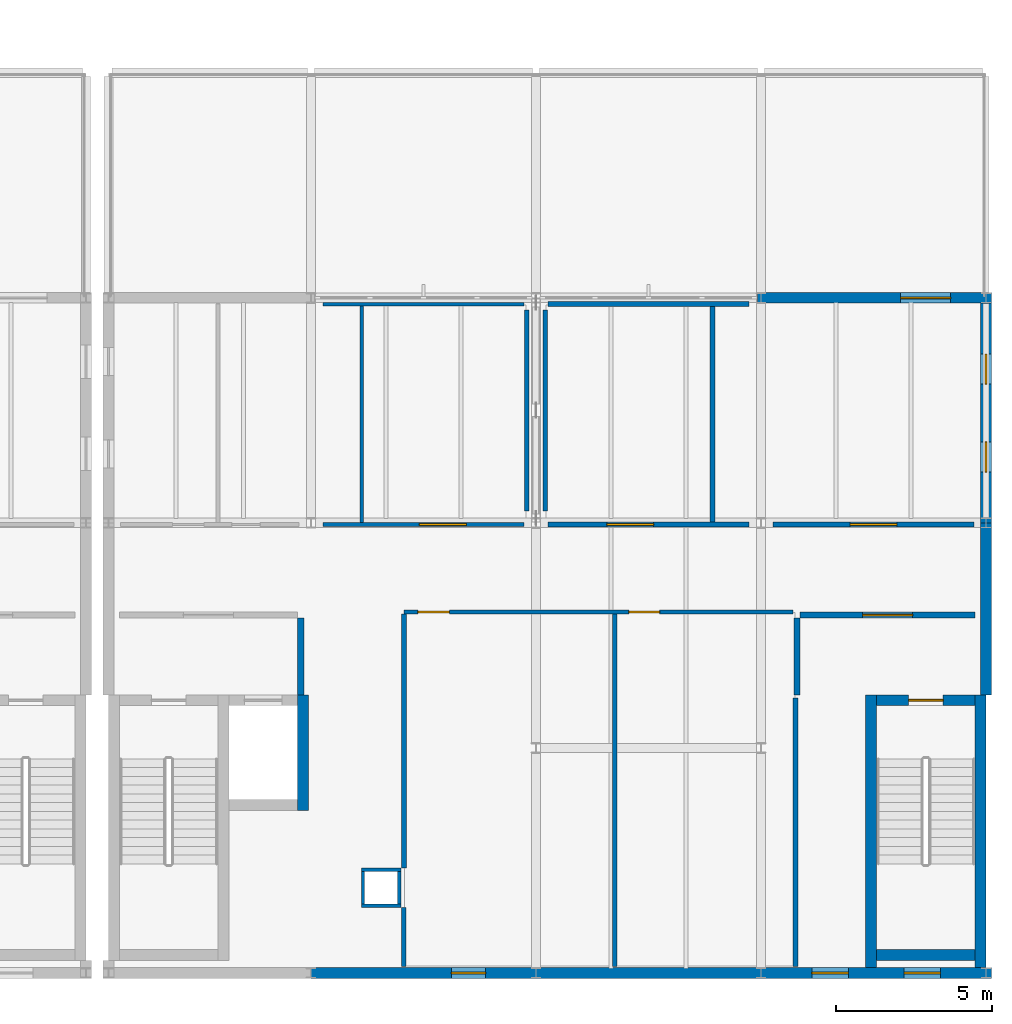
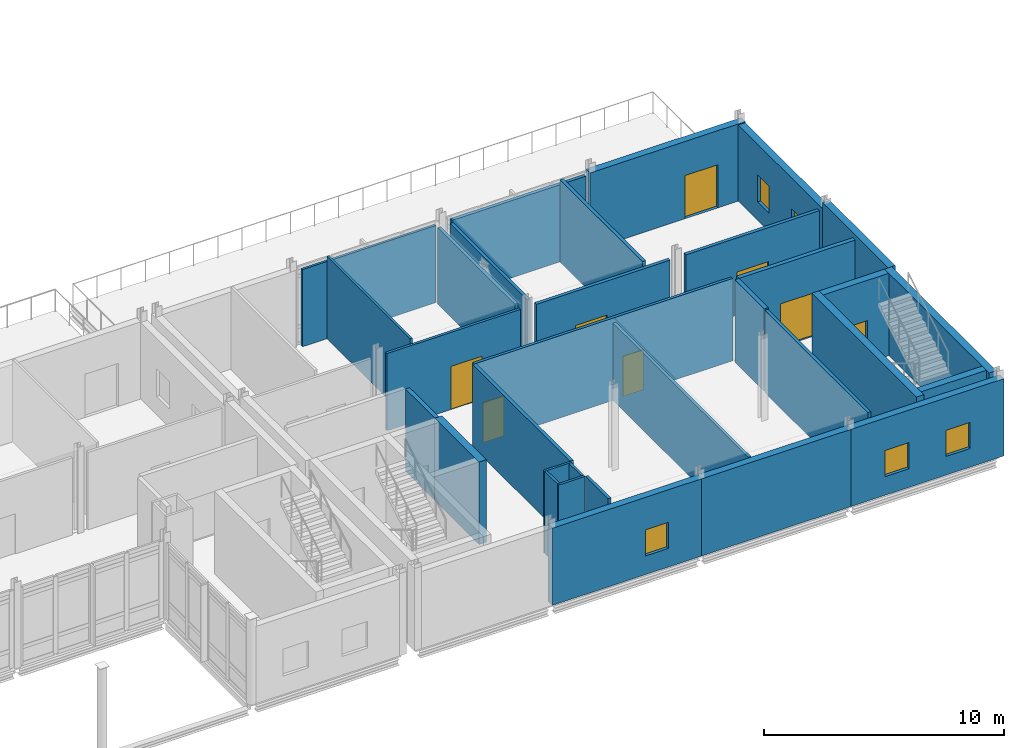
# One storey, part 40 of 53: 32 walls, 8 doors, 5 windows, 13 openings.
"""IFC4 building model written with IfcOpenShell, lengths in metres."""

from ifc_helpers import new_model, si_unit, direction, frame, frame_2d, origin, place, context, subcontext, project, spatial, rectangle, extrude, material, layer, layer_set, type_object, element, fill, save


model = new_model("IFC4")

# Units and contexts
model_context = context("Model", 3, precision=1e-05, world=origin(), true_north=direction((0.0, 1.0)))
body_context = subcontext(model_context, "Body", "Model", "MODEL_VIEW")
ifc_project = project(units=[si_unit("LENGTHUNIT", "METRE"), si_unit("AREAUNIT", "SQUARE_METRE"), si_unit("VOLUMEUNIT", "CUBIC_METRE"), si_unit("PLANEANGLEUNIT", "RADIAN"), si_unit("MASSUNIT", "GRAM", prefix="KILO")], contexts=[model_context])

# Site, building, storey
site_placement = place(None, origin())
site = spatial("IfcSite", under=ifc_project, at=site_placement, CompositionType="ELEMENT")
building_placement = place(site_placement, origin())
building = spatial("IfcBuilding", under=site, at=building_placement, Name="Zarrinpeak Specialist Clinic", CompositionType="ELEMENT")
storey_placement = place(building_placement, frame((0.0, 0.0, 14.0)))
storey = spatial("IfcBuildingStorey", under=building, at=storey_placement, Name="L03", CompositionType="ELEMENT", Elevation=14.0)

# Walls
ifc_material_1 = material(Name="Concrete C40/50", Category="concrete")
ifc_layer_1 = layer(ifc_material_1, 0.35009765625)
ifc_layer_set_1 = layer_set([ifc_layer_1], Name="Concrete C40/50")
wall_type_1 = type_object("IfcWallType", Name="WL-CR350", PredefinedType="SHEAR", material=ifc_layer_set_1)
wall_1_placement = place(storey_placement, frame((64.544921875, 5.199951171875, 0.0), z_axis=(0.0, 0.0, 1.0), x_axis=(0.0, 1.0, 0.0)))
element("IfcWall", 1, at=wall_1_placement, inside=storey, type_object=wall_type_1, Name="L03 Lift LF-P4 Shaft Wall LFE", PredefinedType="SHEAR", context=body_context, shape_type="SweptSolid", body=[
    extrude(rectangle(XDim=3.699951171875, YDim=0.35009765625, at=frame_2d((1.85009765625, 0.0))), origin(), (0.0, 0.0, 1.0), 4.199951171875),
])
wall_2_placement = place(storey_placement, frame((82.89990234375, 0.574951171875, 0.0), z_axis=(0.0, 0.0, 1.0), x_axis=(1.0, 0.0, 0.0)))
element("IfcWall", 2, at=wall_2_placement, inside=storey, type_object=wall_type_1, Name="L03 Core C08 Shear Wall STS", PredefinedType="SHEAR", context=body_context, shape_type="SweptSolid", body=[
    extrude(rectangle(XDim=3.150146484375, YDim=0.35009765625, at=frame_2d((1.5751953125, 0.0))), origin(), (0.0, 0.0, 1.0), 4.199951171875),
])

# Wall, opening, door
wall_3_placement = place(storey_placement, frame((82.89990234375, 8.72509765625, 0.0), z_axis=(0.0, 0.0, 1.0), x_axis=(1.0, 0.0, 0.0)))
wall_3 = element("IfcWall", 3, at=wall_3_placement, inside=storey, type_object=wall_type_1, Name="L03 Core C08 Shear Wall STN", PredefinedType="SHEAR", context=body_context, shape_type="SweptSolid", body=[
    extrude(rectangle(XDim=3.150146484375, YDim=0.35009765625, at=frame_2d((1.5751953125, 0.0))), origin(), (0.0, 0.0, 1.0), 4.199951171875),
])
opening_1_placement = place(wall_3_placement, frame((1.02490234375, 0.0, 0.0)))
opening_1 = element("IfcOpeningElement", 4, at=opening_1_placement, cuts=wall_3, Name="Opening D-S02", PredefinedType="OPENING", context=body_context, shape_type="SweptSolid", body=[
    extrude(rectangle(XDim=1.10009765625, YDim=2.14990234375, at=frame_2d((0.550048828125, 1.074951171875))), frame((0.0, 0.18505859375, 0.0), z_axis=(0.0, -1.0, 0.0), x_axis=(1.0, 0.0, 0.0)), (0.0, 0.0, 1.0), 0.3701171875),
])
ifc_material_2 = material(Name="Powder-Coated Galvanised Steel", Category="steel")
door_type_1 = type_object("IfcDoorType", Name="DR-FD110", OperationType="SINGLE_SWING_RIGHT", PredefinedType="DOOR", material=ifc_material_2)
door_1_placement = place(opening_1_placement, frame((1.10009765625, 0.0, 0.0), z_axis=(0.0, 0.0, 1.0), x_axis=(-1.0, 0.0, 0.0)))
door_1 = element("IfcDoor", 5, at=door_1_placement, inside=storey, type_object=door_type_1, Name="L03 Protected Stair ST-08 Fire Door", OperationType="SINGLE_SWING_RIGHT", OverallHeight=2.14990234375, OverallWidth=1.10009765625, PredefinedType="DOOR", context=body_context, shape_type="SweptSolid", body=[
    extrude(rectangle(XDim=1.10009765625, YDim=2.14990234375, at=frame_2d((0.550048828125, 1.074951171875))), frame((0.0, 0.02490234375, 0.0), z_axis=(0.0, -1.0, 0.0), x_axis=(1.0, 0.0, 0.0)), (0.0, 0.0, 1.0), 0.050048828125),
])
fill(opening_1, door_1)

# Walls
for number, where, z_axis, x_axis, name in (
    (6, (82.72509765625, 0.169921875, 0.0), (0.0, 0.0, 1.0), (0.0, 1.0, 0.0), "L03 Core C08 Shear Wall STW"),
    (7, (86.22509765625, 0.169921875, 0.0), (0.0, 0.0, 1.0), (0.0, 1.0, 0.0), "L03 Core C08 Shear Wall STE"),
):
    element("IfcWall", number, at=place(storey_placement, frame(where, z_axis=z_axis, x_axis=x_axis)), inside=storey, type_object=wall_type_1, Name=name, PredefinedType="SHEAR", context=body_context, shape_type="SweptSolid", body=[
        extrude(rectangle(XDim=8.72998046875, YDim=0.35009765625, at=frame_2d((4.364990234375, 0.0))), origin(), (0.0, 0.0, 1.0), 4.199951171875),
    ])

# Wall, opening, window
ifc_material_3 = material(Name="Precast concrete C40/50", Category="concrete")
ifc_layer_2 = layer(ifc_material_3, 0.340087890625)
ifc_layer_set_2 = layer_set([ifc_layer_2], Name="Precast concrete C40/50")
wall_type_2 = type_object("IfcWallType", Name="WL-EW340", PredefinedType="STANDARD", material=ifc_layer_set_2)
wall_4_placement = place(storey_placement, frame((64.800048828125, 0.0, 0.0), z_axis=(0.0, 0.0, 1.0), x_axis=(1.0, 0.0, 0.0)))
wall_4 = element("IfcWall", 8, at=wall_4_placement, inside=storey, type_object=wall_type_2, Name="L03 V4 Exterior GRC Wall EW-L03-V4-0191", PredefinedType="STANDARD", context=body_context, shape_type="SweptSolid", body=[
    extrude(rectangle(XDim=7.199951171875, YDim=0.340087890625, at=frame_2d((3.60009765625, 0.0))), origin(), (0.0, 0.0, 1.0), 3.93505859375),
])
opening_2_placement = place(wall_4_placement, frame((4.490966796875, 0.0, 0.949951171875)))
opening_2 = element("IfcOpeningElement", 9, at=opening_2_placement, cuts=wall_4, Name="Opening WS-34", PredefinedType="OPENING", context=body_context, shape_type="SweptSolid", body=[
    extrude(rectangle(XDim=1.097900390625, YDim=1.33203125, at=frame_2d((0.548828125, 0.666015625))), frame((0.0, 0.18017578125, 0.0), z_axis=(0.0, -1.0, 0.0), x_axis=(1.0, 0.0, 0.0)), (0.0, 0.0, 1.0), 0.360107421875),
])
ifc_material_4 = material(Name="Thermally Broken Aluminium and Low-E Glazing", Category="aluminium")
window_type_1 = type_object("IfcWindowType", Name="WN-SP34", PartitioningType="SINGLE_PANEL", PredefinedType="WINDOW", material=ifc_material_4)
window_1_placement = place(opening_2_placement, origin())
window_1 = element("IfcWindow", 10, at=window_1_placement, inside=storey, type_object=window_type_1, Name="L03 Modular Facade Window WN-L03-0224", OverallHeight=1.33203125, OverallWidth=1.097900390625, PartitioningType="SINGLE_PANEL", PredefinedType="WINDOW", context=body_context, shape_type="SweptSolid", body=[
    extrude(rectangle(XDim=1.097900390625, YDim=1.33203125, at=frame_2d((0.548828125, 0.666015625))), frame((0.0, 0.030029296875, 0.0), z_axis=(0.0, -1.0, 0.0), x_axis=(1.0, 0.0, 0.0)), (0.0, 0.0, 1.0), 0.06005859375),
])
fill(opening_2, window_1)

# Wall
wall_5_placement = place(storey_placement, frame((72.0, 0.0, 0.0), z_axis=(0.0, 0.0, 1.0), x_axis=(1.0, 0.0, 0.0)))
element("IfcWall", 11, at=wall_5_placement, inside=storey, type_object=wall_type_2, Name="L03 V4 Exterior GRC Wall EW-L03-V4-0192", PredefinedType="STANDARD", context=body_context, shape_type="SweptSolid", body=[
    extrude(rectangle(XDim=7.199951171875, YDim=0.340087890625, at=frame_2d((3.60009765625, 0.0))), origin(), (0.0, 0.0, 1.0), 3.93505859375),
])

# Wall, openings, windows
wall_6_placement = place(storey_placement, frame((79.199951171875, 0.0, 0.0), z_axis=(0.0, 0.0, 1.0), x_axis=(1.0, 0.0, 0.0)))
wall_6 = element("IfcWall", 12, at=wall_6_placement, inside=storey, type_object=wall_type_2, Name="L03 V4 Exterior GRC Wall EW-L03-V4-0193", PredefinedType="STANDARD", context=body_context, shape_type="SweptSolid", body=[
    extrude(rectangle(XDim=7.3701171875, YDim=0.340087890625, at=frame_2d((3.68505859375, 0.0))), origin(), (0.0, 0.0, 1.0), 3.93505859375),
])
opening_3_placement = place(wall_6_placement, frame((1.6279296875, 0.0, 0.949951171875)))
opening_3 = element("IfcOpeningElement", 13, at=opening_3_placement, cuts=wall_6, Name="Opening WS-36", PredefinedType="OPENING", context=body_context, shape_type="SweptSolid", body=[
    extrude(rectangle(XDim=1.166015625, YDim=1.33203125, at=frame_2d((0.5830078125, 0.666015625))), frame((0.0, 0.18017578125, 0.0), z_axis=(0.0, -1.0, 0.0), x_axis=(1.0, 0.0, 0.0)), (0.0, 0.0, 1.0), 0.360107421875),
])
opening_4_placement = place(wall_6_placement, frame((4.575927734375, 0.0, 0.949951171875)))
opening_4 = element("IfcOpeningElement", 14, at=opening_4_placement, cuts=wall_6, Name="Opening WS-36", PredefinedType="OPENING", context=body_context, shape_type="SweptSolid", body=[
    extrude(rectangle(XDim=1.166015625, YDim=1.33203125, at=frame_2d((0.5830078125, 0.666015625))), frame((0.0, 0.18017578125, 0.0), z_axis=(0.0, -1.0, 0.0), x_axis=(1.0, 0.0, 0.0)), (0.0, 0.0, 1.0), 0.360107421875),
])
window_type_2 = type_object("IfcWindowType", Name="WN-SP36", PartitioningType="SINGLE_PANEL", PredefinedType="WINDOW", material=ifc_material_4)
window_2_placement = place(opening_3_placement, origin())
window_2 = element("IfcWindow", 15, at=window_2_placement, inside=storey, type_object=window_type_2, Name="L03 Modular Facade Window WN-L03-0225", OverallHeight=1.33203125, OverallWidth=1.166015625, PartitioningType="SINGLE_PANEL", PredefinedType="WINDOW", context=body_context, shape_type="SweptSolid", body=[
    extrude(rectangle(XDim=1.166015625, YDim=1.33203125, at=frame_2d((0.5830078125, 0.666015625))), frame((0.0, 0.030029296875, 0.0), z_axis=(0.0, -1.0, 0.0), x_axis=(1.0, 0.0, 0.0)), (0.0, 0.0, 1.0), 0.06005859375),
])
fill(opening_3, window_2)
window_3_placement = place(opening_4_placement, origin())
window_3 = element("IfcWindow", 16, at=window_3_placement, inside=storey, type_object=window_type_2, Name="L03 Modular Facade Window WN-L03-0226", OverallHeight=1.33203125, OverallWidth=1.166015625, PartitioningType="SINGLE_PANEL", PredefinedType="WINDOW", context=body_context, shape_type="SweptSolid", body=[
    extrude(rectangle(XDim=1.166015625, YDim=1.33203125, at=frame_2d((0.5830078125, 0.666015625))), frame((0.0, 0.030029296875, 0.0), z_axis=(0.0, -1.0, 0.0), x_axis=(1.0, 0.0, 0.0)), (0.0, 0.0, 1.0), 0.06005859375),
])
fill(opening_4, window_3)

# Wall, opening, door
wall_7_placement = place(storey_placement, frame((86.570068359375, 21.60009765625, 0.0), z_axis=(0.0, 0.0, 1.0), x_axis=(-1.0, 0.0, 0.0)))
wall_7 = element("IfcWall", 17, at=wall_7_placement, inside=storey, type_object=wall_type_2, Name="L03 V4 Exterior GRC Wall EW-L03-V4-0195", PredefinedType="STANDARD", context=body_context, shape_type="SweptSolid", body=[
    extrude(rectangle(XDim=7.47998046875, YDim=0.340087890625, at=frame_2d((3.739990234375, 0.0))), origin(), (0.0, 0.0, 1.0), 3.93505859375),
])
opening_5_placement = place(wall_7_placement, frame((1.304931640625, 0.0, 0.0)))
opening_5 = element("IfcOpeningElement", 18, at=opening_5_placement, cuts=wall_7, Name="Opening D-TR2", PredefinedType="OPENING", context=body_context, shape_type="SweptSolid", body=[
    extrude(rectangle(XDim=1.60009765625, YDim=2.199951171875, at=frame_2d((0.800048828125, 1.10009765625))), frame((0.0, 0.18017578125, 0.0), z_axis=(0.0, -1.0, 0.0), x_axis=(1.0, 0.0, 0.0)), (0.0, 0.0, 1.0), 0.360107421875),
])
ifc_material_5 = material(Name="Powder-Coated Steel and Safety Glazing", Category="steel")
door_type_2 = type_object("IfcDoorType", Name="DR-TER160", OperationType="DOUBLE_DOOR_SINGLE_SWING", PredefinedType="DOOR", material=ifc_material_5)
door_2_placement = place(opening_5_placement, origin())
door_2 = element("IfcDoor", 19, at=door_2_placement, inside=storey, type_object=door_type_2, Name="L03 V4 Healing Terrace Access Door TD-04", OperationType="DOUBLE_DOOR_SINGLE_SWING", OverallHeight=2.199951171875, OverallWidth=1.60009765625, PredefinedType="DOOR", context=body_context, shape_type="SweptSolid", body=[
    extrude(rectangle(XDim=1.60009765625, YDim=2.199951171875, at=frame_2d((0.800048828125, 1.10009765625))), frame((0.0, 0.02490234375, 0.0), z_axis=(0.0, -1.0, 0.0), x_axis=(1.0, 0.0, 0.0)), (0.0, 0.0, 1.0), 0.050048828125),
])
fill(opening_5, door_2)

# Wall
wall_8_placement = place(storey_placement, frame((86.39990234375, 8.89990234375, 0.0), z_axis=(0.0, 0.0, 1.0), x_axis=(0.0, 1.0, 0.0)))
element("IfcWall", 20, at=wall_8_placement, inside=storey, type_object=wall_type_2, Name="L03 V4 Exterior GRC Wall EW-L03-V4-0199", PredefinedType="STANDARD", context=body_context, shape_type="SweptSolid", body=[
    extrude(rectangle(XDim=5.5, YDim=0.340087890625, at=frame_2d((2.75, 0.0))), origin(), (0.0, 0.0, 1.0), 4.199951171875),
])

# Wall, openings, windows
wall_9_placement = place(storey_placement, frame((86.39990234375, 14.39990234375, 0.0), z_axis=(0.0, 0.0, 1.0), x_axis=(0.0, 1.0, 0.0)))
wall_9 = element("IfcWall", 21, at=wall_9_placement, inside=storey, type_object=wall_type_2, Name="L03 V4 Exterior GRC Wall EW-L03-V4-0200", PredefinedType="STANDARD", context=body_context, shape_type="SweptSolid", body=[
    extrude(rectangle(XDim=7.030029296875, YDim=0.340087890625, at=frame_2d((3.51513671875, 0.0))), origin(), (0.0, 0.0, 1.0), 3.885009765625),
])
opening_6_placement = place(wall_9_placement, frame((1.6279296875, 0.0, 0.949951171875)))
opening_6 = element("IfcOpeningElement", 22, at=opening_6_placement, cuts=wall_9, Name="Opening WS-43", PredefinedType="OPENING", context=body_context, shape_type="SweptSolid", body=[
    extrude(rectangle(XDim=0.9619140625, YDim=1.367919921875, at=frame_2d((0.48095703125, 0.68408203125))), frame((0.0, 0.18017578125, 0.0), z_axis=(0.0, -1.0, 0.0), x_axis=(1.0, 0.0, 0.0)), (0.0, 0.0, 1.0), 0.360107421875),
])
opening_7_placement = place(wall_9_placement, frame((4.43994140625, 0.0, 0.949951171875)))
opening_7 = element("IfcOpeningElement", 23, at=opening_7_placement, cuts=wall_9, Name="Opening WS-43", PredefinedType="OPENING", context=body_context, shape_type="SweptSolid", body=[
    extrude(rectangle(XDim=0.9619140625, YDim=1.367919921875, at=frame_2d((0.48095703125, 0.68408203125))), frame((0.0, 0.18017578125, 0.0), z_axis=(0.0, -1.0, 0.0), x_axis=(1.0, 0.0, 0.0)), (0.0, 0.0, 1.0), 0.360107421875),
])
window_type_3 = type_object("IfcWindowType", Name="WN-SP43", PartitioningType="SINGLE_PANEL", PredefinedType="WINDOW", material=ifc_material_4)
window_4_placement = place(opening_6_placement, origin())
window_4 = element("IfcWindow", 24, at=window_4_placement, inside=storey, type_object=window_type_3, Name="L03 Modular Facade Window WN-L03-0229", OverallHeight=1.367919921875, OverallWidth=0.9619140625, PartitioningType="SINGLE_PANEL", PredefinedType="WINDOW", context=body_context, shape_type="SweptSolid", body=[
    extrude(rectangle(XDim=0.9619140625, YDim=1.367919921875, at=frame_2d((0.48095703125, 0.68408203125))), frame((0.0, 0.030029296875, 0.0), z_axis=(0.0, -1.0, 0.0), x_axis=(1.0, 0.0, 0.0)), (0.0, 0.0, 1.0), 0.06005859375),
])
fill(opening_6, window_4)
window_5_placement = place(opening_7_placement, origin())
window_5 = element("IfcWindow", 25, at=window_5_placement, inside=storey, type_object=window_type_3, Name="L03 Modular Facade Window WN-L03-0230", OverallHeight=1.367919921875, OverallWidth=0.9619140625, PartitioningType="SINGLE_PANEL", PredefinedType="WINDOW", context=body_context, shape_type="SweptSolid", body=[
    extrude(rectangle(XDim=0.9619140625, YDim=1.367919921875, at=frame_2d((0.48095703125, 0.68408203125))), frame((0.0, 0.030029296875, 0.0), z_axis=(0.0, -1.0, 0.0), x_axis=(1.0, 0.0, 0.0)), (0.0, 0.0, 1.0), 0.06005859375),
])
fill(opening_7, window_5)

# Walls
ifc_material_6 = material(Name="Sanitary Service Chase Plumbing Wall", Category="gypsum")
ifc_layer_3 = layer(ifc_material_6, 0.110107421875)
ifc_layer_set_3 = layer_set([ifc_layer_3], Name="Sanitary Service Chase Plumbing Wall")
wall_type_3 = type_object("IfcWallType", Name="WL-IW110", PredefinedType="PARTITIONING", material=ifc_layer_set_3)
for number, where, z_axis, x_axis, name in (
    (26, (66.409912109375, 2.14501953125, 0.0), (0.0, 0.0, 1.0), (1.0, 0.0, 0.0), "L03 V4 Enclosed MEP Service Riser Wall S"),
    (27, (66.409912109375, 3.304931640625, 0.0), (0.0, 0.0, 1.0), (1.0, 0.0, 0.0), "L03 V4 Enclosed MEP Service Riser Wall N"),
):
    element("IfcWall", number, at=place(storey_placement, frame(where, z_axis=z_axis, x_axis=x_axis)), inside=storey, type_object=wall_type_3, Name=name, PredefinedType="PARTITIONING", context=body_context, shape_type="SweptSolid", body=[
        extrude(rectangle(XDim=1.27001953125, YDim=0.110107421875, at=frame_2d((0.635009765625, 0.0))), origin(), (0.0, 0.0, 1.0), 4.199951171875),
    ])
for number, where, z_axis, x_axis, name in (
    (28, (66.465087890625, 2.199951171875, 0.0), (0.0, 0.0, 1.0), (0.0, 1.0, 0.0), "L03 V4 Enclosed MEP Service Riser Wall W"),
    (29, (67.625, 2.199951171875, 0.0), (0.0, 0.0, 1.0), (0.0, 1.0, 0.0), "L03 V4 Enclosed MEP Service Riser Wall E"),
):
    element("IfcWall", number, at=place(storey_placement, frame(where, z_axis=z_axis, x_axis=x_axis)), inside=storey, type_object=wall_type_3, Name=name, PredefinedType="PARTITIONING", context=body_context, shape_type="SweptSolid", body=[
        extrude(rectangle(XDim=1.050048828125, YDim=0.110107421875, at=frame_2d((0.52490234375, 0.0))), origin(), (0.0, 0.0, 1.0), 4.199951171875),
    ])
wall_10_placement = place(storey_placement, frame((65.179931640625, 21.39990234375, 0.0), z_axis=(0.0, 0.0, 1.0), x_axis=(1.0, 0.0, 0.0)))
element("IfcWall", 30, at=wall_10_placement, inside=storey, type_object=wall_type_3, Name="L03 Staff WC Partition", PredefinedType="PARTITIONING", context=body_context, shape_type="SweptSolid", body=[
    extrude(rectangle(XDim=6.440185546875, YDim=0.110107421875, at=frame_2d((3.22021484375, 0.0))), origin(), (0.0, 0.0, 1.0), 3.93505859375),
])
wall_11_placement = place(storey_placement, frame((66.419921875, 14.41259765625, 0.0), z_axis=(0.0, 0.0, 1.0), x_axis=(0.0, 1.0, 0.0)))
element("IfcWall", 31, at=wall_11_placement, inside=storey, type_object=wall_type_3, Name="L03 Staff WC Dividing Partition", PredefinedType="PARTITIONING", context=body_context, shape_type="SweptSolid", body=[
    extrude(rectangle(XDim=6.932373046875, YDim=0.110107421875, at=frame_2d((3.46630859375, 0.0))), origin(), (0.0, 0.0, 1.0), 4.199951171875),
])

# Wall, opening, door
ifc_material_7 = material(Name="Moisture-Resistant Wet-Room Partition", Category="gypsum")
ifc_layer_4 = layer(ifc_material_7, 0.125)
ifc_layer_set_4 = layer_set([ifc_layer_4], Name="Moisture-Resistant Wet-Room Partition")
wall_type_4 = type_object("IfcWallType", Name="WL-IW125W", PredefinedType="PARTITIONING", material=ifc_layer_set_4)
wall_12_placement = place(storey_placement, frame((65.179931640625, 14.35009765625, 0.0), z_axis=(0.0, 0.0, 1.0), x_axis=(1.0, 0.0, 0.0)))
wall_12 = element("IfcWall", 32, at=wall_12_placement, inside=storey, type_object=wall_type_4, Name="L03 Accessible Patient WC Partition", PredefinedType="PARTITIONING", context=body_context, shape_type="SweptSolid", body=[
    extrude(rectangle(XDim=6.440185546875, YDim=0.125, at=frame_2d((3.22021484375, 0.0))), origin(), (0.0, 0.0, 1.0), 3.93505859375),
])
opening_8_placement = place(wall_12_placement, frame((3.090087890625, 0.0, 0.0)))
opening_8 = element("IfcOpeningElement", 33, at=opening_8_placement, cuts=wall_12, Name="Opening D-B01", PredefinedType="OPENING", context=body_context, shape_type="SweptSolid", body=[
    extrude(rectangle(XDim=1.5, YDim=2.199951171875, at=frame_2d((0.75, 1.10009765625))), frame((0.0, 0.072509765625, 0.0), z_axis=(0.0, -1.0, 0.0), x_axis=(1.0, 0.0, 0.0)), (0.0, 0.0, 1.0), 0.14501953125),
])
door_type_3 = type_object("IfcDoorType", Name="DR-BED150", OperationType="DOUBLE_DOOR_SINGLE_SWING", PredefinedType="DOOR", material=ifc_material_2)
door_3_placement = place(opening_8_placement, frame((1.5, 0.0, 0.0), z_axis=(0.0, 0.0, 1.0), x_axis=(-1.0, 0.0, 0.0)))
door_3 = element("IfcDoor", 34, at=door_3_placement, inside=storey, type_object=door_type_3, Name="L03 Interventional Bronchoscopy Suite Door", OperationType="DOUBLE_DOOR_SINGLE_SWING", OverallHeight=2.199951171875, OverallWidth=1.5, PredefinedType="DOOR", context=body_context, shape_type="SweptSolid", body=[
    extrude(rectangle(XDim=1.5, YDim=2.199951171875, at=frame_2d((0.75, 1.10009765625))), frame((0.0, 0.02490234375, 0.0), z_axis=(0.0, -1.0, 0.0), x_axis=(1.0, 0.0, 0.0)), (0.0, 0.0, 1.0), 0.050048828125),
])
fill(opening_8, door_3)

# Wall, openings, doors
ifc_material_8 = material(Name="Standard Drywall Partition", Category="gypsum")
ifc_layer_5 = layer(ifc_material_8, 0.135009765625)
ifc_layer_set_5 = layer_set([ifc_layer_5], Name="Standard Drywall Partition")
wall_type_5 = type_object("IfcWallType", Name="WL-IW135", PredefinedType="PARTITIONING", material=ifc_layer_set_5)
wall_13_placement = place(storey_placement, frame((67.77001953125, 11.550048828125, 0.0), z_axis=(0.0, 0.0, 1.0), x_axis=(1.0, 0.0, 0.0)))
wall_13 = element("IfcWall", 35, at=wall_13_placement, inside=storey, type_object=wall_type_5, Name="L03 Specialist Consultation Room 1 Partition", PredefinedType="PARTITIONING", context=body_context, shape_type="SweptSolid", body=[
    extrude(rectangle(XDim=12.4599609375, YDim=0.135009765625, at=frame_2d((6.22998046875, 0.0))), origin(), (0.0, 0.0, 1.0), 4.199951171875),
])
opening_9_placement = place(wall_13_placement, frame((7.199951171875, 0.0, 0.0)))
opening_9 = element("IfcOpeningElement", 36, at=opening_9_placement, cuts=wall_13, Name="Opening DS-05", PredefinedType="OPENING", context=body_context, shape_type="SweptSolid", body=[
    extrude(rectangle(XDim=0.98388671875, YDim=2.0400390625, at=frame_2d((0.491943359375, 1.02001953125))), frame((0.0, 0.07763671875, 0.0), z_axis=(0.0, -1.0, 0.0), x_axis=(1.0, 0.0, 0.0)), (0.0, 0.0, 1.0), 0.155029296875),
])
opening_10_placement = place(wall_13_placement, frame((0.449951171875, 0.0, 0.0)))
opening_10 = element("IfcOpeningElement", 37, at=opening_10_placement, cuts=wall_13, Name="Opening DS-06", PredefinedType="OPENING", context=body_context, shape_type="SweptSolid", body=[
    extrude(rectangle(XDim=1.010009765625, YDim=2.0400390625, at=frame_2d((0.5048828125, 1.02001953125))), frame((0.0, 0.07763671875, 0.0), z_axis=(0.0, -1.0, 0.0), x_axis=(1.0, 0.0, 0.0)), (0.0, 0.0, 1.0), 0.155029296875),
])
door_type_4 = type_object("IfcDoorType", Name="DR-SP05", OperationType="SINGLE_SWING_RIGHT", PredefinedType="DOOR", material=ifc_material_2)
door_4_placement = place(opening_9_placement, origin())
door_4 = element("IfcDoor", 38, at=door_4_placement, inside=storey, type_object=door_type_4, Name="L03 Specialist Consultation Room 1 Door", OperationType="SINGLE_SWING_RIGHT", OverallHeight=2.0400390625, OverallWidth=0.98388671875, PredefinedType="DOOR", context=body_context, shape_type="SweptSolid", body=[
    extrude(rectangle(XDim=0.98388671875, YDim=2.0400390625, at=frame_2d((0.491943359375, 1.02001953125))), frame((0.0, 0.02490234375, 0.0), z_axis=(0.0, -1.0, 0.0), x_axis=(1.0, 0.0, 0.0)), (0.0, 0.0, 1.0), 0.050048828125),
])
fill(opening_9, door_4)
door_type_5 = type_object("IfcDoorType", Name="DR-SP06", OperationType="SINGLE_SWING_LEFT", PredefinedType="DOOR", material=ifc_material_2)
door_5_placement = place(opening_10_placement, origin())
door_5 = element("IfcDoor", 39, at=door_5_placement, inside=storey, type_object=door_type_5, Name="L03 Specialist Consultation Room 2 Door", OperationType="SINGLE_SWING_LEFT", OverallHeight=2.0400390625, OverallWidth=1.010009765625, PredefinedType="DOOR", context=body_context, shape_type="SweptSolid", body=[
    extrude(rectangle(XDim=1.010009765625, YDim=2.0400390625, at=frame_2d((0.5048828125, 1.02001953125))), frame((0.0, 0.02490234375, 0.0), z_axis=(0.0, -1.0, 0.0), x_axis=(1.0, 0.0, 0.0)), (0.0, 0.0, 1.0), 0.050048828125),
])
fill(opening_10, door_5)

# Walls
wall_14_placement = place(storey_placement, frame((67.77001953125, 0.199951171875, 0.0), z_axis=(0.0, 0.0, 1.0), x_axis=(0.0, 1.0, 0.0)))
element("IfcWall", 40, at=wall_14_placement, inside=storey, type_object=wall_type_5, Name="L03 Specialist Consultation Room 2 Dividing Partition", PredefinedType="PARTITIONING", context=body_context, shape_type="SweptSolid", body=[
    extrude(rectangle(XDim=1.89013671875, YDim=0.135009765625, at=frame_2d((0.945068359375, 0.0))), origin(), (0.0, 0.0, 1.0), 4.199951171875),
])
wall_15_placement = place(storey_placement, frame((74.52001953125, 0.199951171875, 0.0), z_axis=(0.0, 0.0, 1.0), x_axis=(0.0, 1.0, 0.0)))
element("IfcWall", 41, at=wall_15_placement, inside=storey, type_object=wall_type_5, Name="L03 Specialist Consultation Room 1 Dividing Partition", PredefinedType="PARTITIONING", context=body_context, shape_type="SweptSolid", body=[
    extrude(rectangle(XDim=11.282470703125, YDim=0.135009765625, at=frame_2d((5.64111328125, 0.0))), origin(), (0.0, 0.0, 1.0), 3.945068359375),
])
ifc_material_9 = material(Name="Acoustic Consultation Stud Partition", Category="gypsum")
ifc_layer_6 = layer(ifc_material_9, 0.14208984375)
ifc_layer_set_6 = layer_set([ifc_layer_6], Name="Acoustic Consultation Stud Partition")
wall_type_6 = type_object("IfcWallType", Name="WL-IW142", PredefinedType="PARTITIONING", material=ifc_layer_set_6)
wall_16_placement = place(storey_placement, frame((72.300048828125, 14.780029296875, 0.0), z_axis=(0.0, 0.0, 1.0), x_axis=(0.0, 1.0, 0.0)))
element("IfcWall", 42, at=wall_16_placement, inside=storey, type_object=wall_type_6, Name="L03 Urodynamics and Lithotripsy Suite Dividing Partition", PredefinedType="PARTITIONING", context=body_context, shape_type="SweptSolid", body=[
    extrude(rectangle(XDim=6.43994140625, YDim=0.14208984375, at=frame_2d((3.219970703125, 0.0))), origin(), (0.0, 0.0, 1.0), 3.89501953125),
])
ifc_material_10 = material(Name="Insulated Clinical Gypsum Stud Partition", Category="gypsum")
ifc_layer_7 = layer(ifc_material_10, 0.14990234375)
ifc_layer_set_7 = layer_set([ifc_layer_7], Name="Insulated Clinical Gypsum Stud Partition")
wall_type_7 = type_object("IfcWallType", Name="WL-IW150", PredefinedType="PARTITIONING", material=ifc_layer_set_7)
wall_17_placement = place(storey_placement, frame((71.699951171875, 14.780029296875, 0.0), z_axis=(0.0, 0.0, 1.0), x_axis=(0.0, 1.0, 0.0)))
element("IfcWall", 43, at=wall_17_placement, inside=storey, type_object=wall_type_7, Name="L03 Interventional Bronchoscopy Suite Dividing Partition", PredefinedType="PARTITIONING", context=body_context, shape_type="SweptSolid", body=[
    extrude(rectangle(XDim=6.43994140625, YDim=0.14990234375, at=frame_2d((3.219970703125, 0.0))), origin(), (0.0, 0.0, 1.0), 3.89501953125),
])
wall_18_placement = place(storey_placement, frame((80.300048828125, 0.199951171875, 0.0), z_axis=(0.0, 0.0, 1.0), x_axis=(0.0, 1.0, 0.0)))
element("IfcWall", 44, at=wall_18_placement, inside=storey, type_object=wall_type_7, Name="L03 Specialist Consultation Room 1 Dividing Partition", PredefinedType="PARTITIONING", context=body_context, shape_type="SweptSolid", body=[
    extrude(rectangle(XDim=8.60009765625, YDim=0.14990234375, at=frame_2d((4.300048828125, 0.0))), origin(), (0.0, 0.0, 1.0), 4.199951171875),
])

# Wall, opening, door
ifc_material_11 = material(Name="Acoustic Double Gypsum Stud Partition", Category="gypsum")
ifc_layer_8 = layer(ifc_material_11, 0.159912109375)
ifc_layer_set_8 = layer_set([ifc_layer_8], Name="Acoustic Double Gypsum Stud Partition")
wall_type_8 = type_object("IfcWallType", Name="WL-IW160", PredefinedType="PARTITIONING", material=ifc_layer_set_8)
wall_19_placement = place(storey_placement, frame((72.3798828125, 14.35009765625, 0.0), z_axis=(0.0, 0.0, 1.0), x_axis=(1.0, 0.0, 0.0)))
wall_19 = element("IfcWall", 45, at=wall_19_placement, inside=storey, type_object=wall_type_8, Name="L03 Urodynamics and Lithotripsy Suite Partition", PredefinedType="PARTITIONING", context=body_context, shape_type="SweptSolid", body=[
    extrude(rectangle(XDim=6.440185546875, YDim=0.159912109375, at=frame_2d((3.22021484375, 0.0))), origin(), (0.0, 0.0, 1.0), 3.93505859375),
])
opening_11_placement = place(wall_19_placement, frame((1.885009765625, 0.0, 0.0)))
opening_11 = element("IfcOpeningElement", 46, at=opening_11_placement, cuts=wall_19, Name="Opening D-B01", PredefinedType="OPENING", context=body_context, shape_type="SweptSolid", body=[
    extrude(rectangle(XDim=1.5, YDim=2.199951171875, at=frame_2d((0.75, 1.10009765625))), frame((0.0, 0.08984375, 0.0), z_axis=(0.0, -1.0, 0.0), x_axis=(1.0, 0.0, 0.0)), (0.0, 0.0, 1.0), 0.179931640625),
])
door_6_placement = place(opening_11_placement, frame((1.5, 0.0, 0.0), z_axis=(0.0, 0.0, 1.0), x_axis=(-1.0, 0.0, 0.0)))
door_6 = element("IfcDoor", 47, at=door_6_placement, inside=storey, type_object=door_type_3, Name="L03 Urodynamics and Lithotripsy Suite Door", OperationType="DOUBLE_DOOR_SINGLE_SWING", OverallHeight=2.199951171875, OverallWidth=1.5, PredefinedType="DOOR", context=body_context, shape_type="SweptSolid", body=[
    extrude(rectangle(XDim=1.5, YDim=2.199951171875, at=frame_2d((0.75, 1.10009765625))), frame((0.0, 0.02490234375, 0.0), z_axis=(0.0, -1.0, 0.0), x_axis=(1.0, 0.0, 0.0)), (0.0, 0.0, 1.0), 0.050048828125),
])
fill(opening_11, door_6)

wall_20_placement = place(storey_placement, frame((79.580078125, 14.35009765625, 0.0), z_axis=(0.0, 0.0, 1.0), x_axis=(1.0, 0.0, 0.0)))
wall_20 = element("IfcWall", 48, at=wall_20_placement, inside=storey, type_object=wall_type_8, Name="L03 Urodynamics and Lithotripsy Suite Partition", PredefinedType="PARTITIONING", context=body_context, shape_type="SweptSolid", body=[
    extrude(rectangle(XDim=6.43994140625, YDim=0.159912109375, at=frame_2d((3.219970703125, 0.0))), origin(), (0.0, 0.0, 1.0), 3.93505859375),
])
opening_12_placement = place(wall_20_placement, frame((2.469970703125, 0.0, 0.0)))
opening_12 = element("IfcOpeningElement", 49, at=opening_12_placement, cuts=wall_20, Name="Opening D-B01", PredefinedType="OPENING", context=body_context, shape_type="SweptSolid", body=[
    extrude(rectangle(XDim=1.5, YDim=2.199951171875, at=frame_2d((0.75, 1.10009765625))), frame((0.0, 0.08984375, 0.0), z_axis=(0.0, -1.0, 0.0), x_axis=(1.0, 0.0, 0.0)), (0.0, 0.0, 1.0), 0.179931640625),
])
door_7_placement = place(opening_12_placement, frame((1.5, 0.0, 0.0), z_axis=(0.0, 0.0, 1.0), x_axis=(-1.0, 0.0, 0.0)))
door_7 = element("IfcDoor", 50, at=door_7_placement, inside=storey, type_object=door_type_3, Name="L03 Step-Down Lounge Recovery Door", OperationType="DOUBLE_DOOR_SINGLE_SWING", OverallHeight=2.199951171875, OverallWidth=1.5, PredefinedType="DOOR", context=body_context, shape_type="SweptSolid", body=[
    extrude(rectangle(XDim=1.5, YDim=2.199951171875, at=frame_2d((0.75, 1.10009765625))), frame((0.0, 0.02490234375, 0.0), z_axis=(0.0, -1.0, 0.0), x_axis=(1.0, 0.0, 0.0)), (0.0, 0.0, 1.0), 0.050048828125),
])
fill(opening_12, door_7)

# Walls
wall_21_placement = place(storey_placement, frame((72.3798828125, 21.39990234375, 0.0), z_axis=(0.0, 0.0, 1.0), x_axis=(1.0, 0.0, 0.0)))
element("IfcWall", 51, at=wall_21_placement, inside=storey, type_object=wall_type_8, Name="L03 Urodynamics and Lithotripsy Suite Partition", PredefinedType="PARTITIONING", context=body_context, shape_type="SweptSolid", body=[
    extrude(rectangle(XDim=6.440185546875, YDim=0.159912109375, at=frame_2d((3.22021484375, 0.0))), origin(), (0.0, 0.0, 1.0), 3.93505859375),
])
wall_22_placement = place(storey_placement, frame((67.77001953125, 3.360107421875, 0.0), z_axis=(0.0, 0.0, 1.0), x_axis=(0.0, 1.0, 0.0)))
element("IfcWall", 52, at=wall_22_placement, inside=storey, type_object=wall_type_8, Name="L03 Specialist Consultation Room 2 Dividing Partition", PredefinedType="PARTITIONING", context=body_context, shape_type="SweptSolid", body=[
    extrude(rectangle(XDim=8.122314453125, YDim=0.159912109375, at=frame_2d((4.06103515625, 0.0))), origin(), (0.0, 0.0, 1.0), 4.199951171875),
])
wall_23_placement = place(storey_placement, frame((77.64990234375, 14.429931640625, 0.0), z_axis=(0.0, 0.0, 1.0), x_axis=(0.0, 1.0, 0.0)))
element("IfcWall", 53, at=wall_23_placement, inside=storey, type_object=wall_type_8, Name="L03 Urodynamics and Lithotripsy Suite Dividing Partition", PredefinedType="PARTITIONING", context=body_context, shape_type="SweptSolid", body=[
    extrude(rectangle(XDim=6.89013671875, YDim=0.159912109375, at=frame_2d((3.445068359375, 0.0))), origin(), (0.0, 0.0, 1.0), 4.199951171875),
])
ifc_material_12 = material(Name="Autoclaved Aerated Concrete Blockwork", Category="masonry")
ifc_layer_9 = layer(ifc_material_12, 0.199951171875)
ifc_layer_set_9 = layer_set([ifc_layer_9], Name="Autoclaved Aerated Concrete Blockwork")
wall_type_9 = type_object("IfcWallType", Name="WL-IW200", PredefinedType="PARTITIONING", material=ifc_layer_set_9)
wall_24_placement = place(storey_placement, frame((64.469970703125, 8.89990234375, 0.0), z_axis=(0.0, 0.0, 1.0), x_axis=(0.0, 1.0, 0.0)))
element("IfcWall", 54, at=wall_24_placement, inside=storey, type_object=wall_type_9, Name="L03 C07 Protected Lobby Partition LBE", PredefinedType="PARTITIONING", context=body_context, shape_type="SweptSolid", body=[
    extrude(rectangle(XDim=2.4501953125, YDim=0.199951171875, at=frame_2d((1.22509765625, 0.0))), origin(), (0.0, 0.0, 1.0), 4.199951171875),
])

# Wall, opening, door
wall_25_placement = place(storey_placement, frame((80.449951171875, 11.449951171875, 0.0), z_axis=(0.0, 0.0, 1.0), x_axis=(1.0, 0.0, 0.0)))
wall_25 = element("IfcWall", 55, at=wall_25_placement, inside=storey, type_object=wall_type_9, Name="L03 C08 Protected Lobby Partition LBF", PredefinedType="PARTITIONING", context=body_context, shape_type="SweptSolid", body=[
    extrude(rectangle(XDim=5.60009765625, YDim=0.199951171875, at=frame_2d((2.800048828125, 0.0))), origin(), (0.0, 0.0, 1.0), 4.199951171875),
])
opening_13_placement = place(wall_25_placement, frame((2.0, 0.0, 0.0)))
opening_13 = element("IfcOpeningElement", 56, at=opening_13_placement, cuts=wall_25, Name="Opening D-L01", PredefinedType="OPENING", context=body_context, shape_type="SweptSolid", body=[
    extrude(rectangle(XDim=1.60009765625, YDim=2.199951171875, at=frame_2d((0.800048828125, 1.10009765625))), frame((0.0, 0.10986328125, 0.0), z_axis=(0.0, -1.0, 0.0), x_axis=(1.0, 0.0, 0.0)), (0.0, 0.0, 1.0), 0.219970703125),
])
door_type_6 = type_object("IfcDoorType", Name="DR-LB160", OperationType="DOUBLE_DOOR_SINGLE_SWING", PredefinedType="DOOR", material=ifc_material_2)
door_8_placement = place(opening_13_placement, origin())
door_8 = element("IfcDoor", 57, at=door_8_placement, inside=storey, type_object=door_type_6, Name="L03 C08 Lobby Hold-Open Fire Door", OperationType="DOUBLE_DOOR_SINGLE_SWING", OverallHeight=2.199951171875, OverallWidth=1.60009765625, PredefinedType="DOOR", context=body_context, shape_type="SweptSolid", body=[
    extrude(rectangle(XDim=1.60009765625, YDim=2.199951171875, at=frame_2d((0.800048828125, 1.10009765625))), frame((0.0, 0.02490234375, 0.0), z_axis=(0.0, -1.0, 0.0), x_axis=(1.0, 0.0, 0.0)), (0.0, 0.0, 1.0), 0.050048828125),
])
fill(opening_13, door_8)

# Wall
wall_26_placement = place(storey_placement, frame((80.35009765625, 8.89990234375, 0.0), z_axis=(0.0, 0.0, 1.0), x_axis=(0.0, 1.0, 0.0)))
element("IfcWall", 58, at=wall_26_placement, inside=storey, type_object=wall_type_9, Name="L03 C08 Protected Lobby Partition LBW", PredefinedType="PARTITIONING", context=body_context, shape_type="SweptSolid", body=[
    extrude(rectangle(XDim=2.4501953125, YDim=0.199951171875, at=frame_2d((1.22509765625, 0.0))), origin(), (0.0, 0.0, 1.0), 4.199951171875),
])

save(model, "model.ifc")
